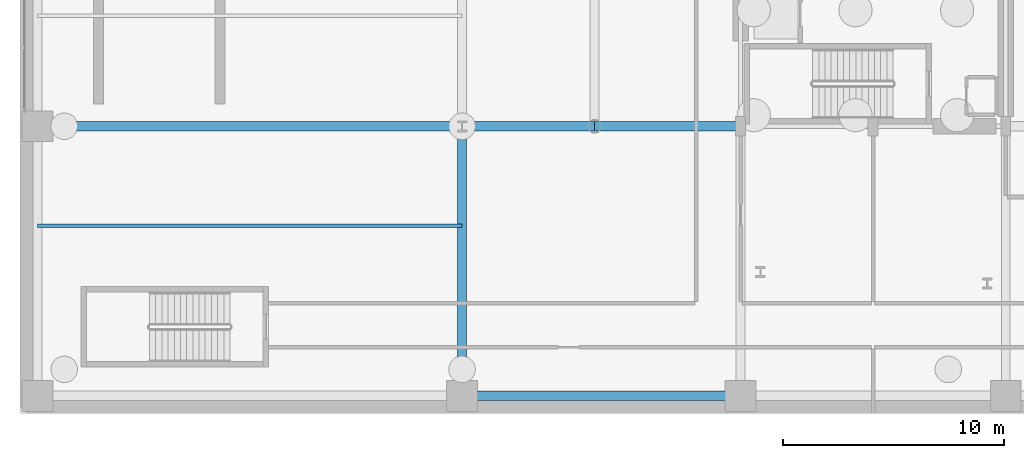
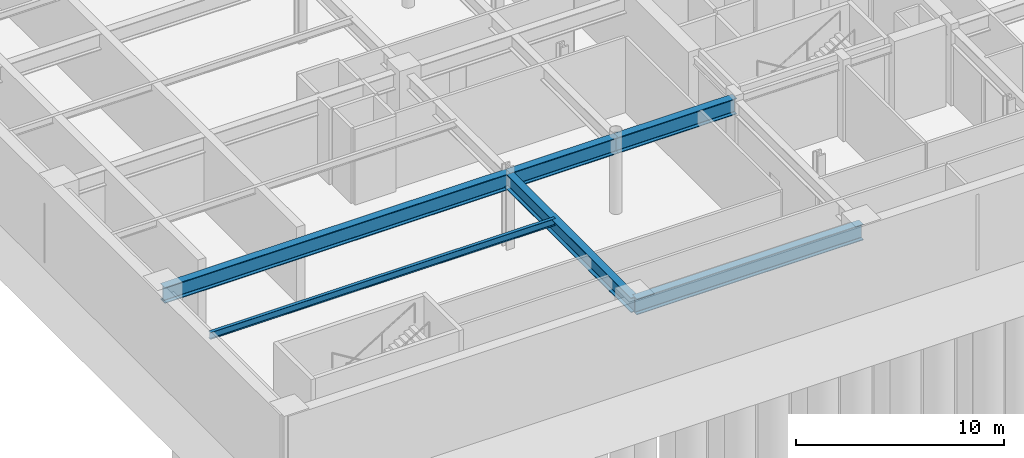
# One storey, part 7 of 25: 6 beams.
"""IFC4 building model written with IfcOpenShell, lengths in metres."""

from ifc_helpers import new_model, si_unit, direction, frame, origin, origin_2d, place, context, subcontext, project, spatial, i_section, extrude, material, material_profile, profile_set, type_object, element, save


model = new_model("IFC4")

# Units and contexts
model_context = context("Model", 3, precision=1e-05, world=origin(), true_north=direction((0.0, 1.0)))
body_context = subcontext(model_context, "Body", "Model", "MODEL_VIEW")
ifc_project = project(units=[si_unit("LENGTHUNIT", "METRE"), si_unit("AREAUNIT", "SQUARE_METRE"), si_unit("VOLUMEUNIT", "CUBIC_METRE"), si_unit("PLANEANGLEUNIT", "RADIAN"), si_unit("MASSUNIT", "GRAM", prefix="KILO")], contexts=[model_context])

# Site, building, storey
site_placement = place(None, origin())
site = spatial("IfcSite", under=ifc_project, at=site_placement, CompositionType="ELEMENT")
building_placement = place(site_placement, origin())
building = spatial("IfcBuilding", under=site, at=building_placement, Name="Soratama Intermodal Tower", CompositionType="ELEMENT")
storey_placement = place(building_placement, frame((0.0, 0.0, -10.199951171875)))
storey = spatial("IfcBuildingStorey", under=building, at=storey_placement, Name="B2", CompositionType="ELEMENT", Elevation=-10.199951171875)

# Beams
ifc_material_1 = material(Name="Structural steel ASTM A992 Grade 50", Category="steel")
ifc_material_profile_1 = material_profile(ifc_material_1, i_section(OverallWidth=0.177978515625, OverallDepth=0.406982421875, WebThickness=0.0078125, FlangeThickness=0.0126953125, FilletRadius=0.010009765625, at=origin_2d()), Name="W16X40")
ifc_profile_set_1 = profile_set([ifc_material_profile_1], Name="Structural steel ASTM A992 Grade 50")
beam_type_1 = type_object("IfcBeamType", Name="BM-JST-W16X40", PredefinedType="JOIST", material=ifc_profile_set_1)
beam_1_placement = place(storey_placement, frame((0.800048828125, 10.5, 4.236572265625), z_axis=(1.0, 0.0, 0.0), x_axis=(0.0, 1.0, 0.0)))
element("IfcBeam", 1, at=beam_1_placement, inside=storey, type_object=beam_type_1, Name="JST-B2-W1", PredefinedType="JOIST", context=body_context, shape_type="SweptSolid", body=[
    extrude(i_section(OverallWidth=0.177978515625, OverallDepth=0.406982421875, WebThickness=0.0078125, FlangeThickness=0.0126953125, FilletRadius=0.010009765625, at=origin_2d()), origin(), (0.0, 0.0, 1.0), 19.199951171875),
])
ifc_material_2 = material(Name="Structural steel ASTM A992 Grade 50", Category="steel")
ifc_material_profile_2 = material_profile(ifc_material_2, i_section(OverallWidth=0.423095703125, OverallDepth=0.93896484375, WebThickness=0.02392578125, FlangeThickness=0.042724609375, FilletRadius=0.02392578125, at=origin_2d()), Name="W36X302")
ifc_profile_set_2 = profile_set([ifc_material_profile_2], Name="Structural steel ASTM A992 Grade 50")
beam_type_2 = type_object("IfcBeamType", Name="BM-POD-EXT-W36", PredefinedType="BEAM", material=ifc_profile_set_2)
beam_2_placement = place(storey_placement, frame((20.0, 2.800048828125, 3.970458984375), z_axis=(1.0, 0.0, 0.0), x_axis=(0.0, 1.0, 0.0)))
element("IfcBeam", 2, at=beam_2_placement, inside=storey, type_object=beam_type_2, Name="B2 Station Girder X1-2", PredefinedType="BEAM", context=body_context, shape_type="SweptSolid", body=[
    extrude(i_section(OverallWidth=0.423095703125, OverallDepth=0.93896484375, WebThickness=0.02392578125, FlangeThickness=0.042724609375, FilletRadius=0.02392578125, at=origin_2d()), origin(), (0.0, 0.0, 1.0), 12.60009765625),
])
ifc_material_3 = material(Name="Structural steel ASTM A992 Grade 50", Category="steel")
ifc_material_profile_3 = material_profile(ifc_material_3, i_section(OverallWidth=0.403076171875, OverallDepth=0.867919921875, WebThickness=0.02099609375, FlangeThickness=0.03564453125, FilletRadius=0.01806640625, at=origin_2d()), Name="W33X241")
ifc_profile_set_3 = profile_set([ifc_material_profile_3], Name="Structural steel ASTM A992 Grade 50")
beam_type_3 = type_object("IfcBeamType", Name="BM-POD-W33X241", PredefinedType="BEAM", material=ifc_profile_set_3)
beam_3_placement = place(storey_placement, frame((20.0, 2.800048828125, 4.005859375), z_axis=(0.0, 1.0, 0.0), x_axis=(-1.0, 0.0, 0.0)))
element("IfcBeam", 3, at=beam_3_placement, inside=storey, type_object=beam_type_3, Name="B2 Station Girder Y2-1", PredefinedType="BEAM", context=body_context, shape_type="SweptSolid", body=[
    extrude(i_section(OverallWidth=0.403076171875, OverallDepth=0.867919921875, WebThickness=0.02099609375, FlangeThickness=0.03564453125, FilletRadius=0.01806640625, at=origin_2d()), origin(), (0.0, 0.0, 1.0), 12.199951171875),
])
ifc_material_4 = material(Name="Structural steel ASTM A992 Grade 50", Category="steel")
ifc_material_profile_4 = material_profile(ifc_material_4, i_section(OverallWidth=0.423095703125, OverallDepth=0.93896484375, WebThickness=0.02392578125, FlangeThickness=0.042724609375, FilletRadius=0.02392578125, at=origin_2d()), Name="W36X302")
ifc_profile_set_4 = profile_set([ifc_material_profile_4], Name="Structural steel ASTM A992 Grade 50")
beam_type_4 = type_object("IfcBeamType", Name="BM-POD-W36X302", PredefinedType="BEAM", material=ifc_profile_set_4)
beam_4_placement = place(storey_placement, frame((0.800048828125, 15.0, 3.970458984375), z_axis=(1.0, 0.0, 0.0), x_axis=(0.0, 1.0, 0.0)))
element("IfcBeam", 4, at=beam_4_placement, inside=storey, type_object=beam_type_4, Name="B2 Station Girder X2-1", PredefinedType="BEAM", context=body_context, shape_type="SweptSolid", body=[
    extrude(i_section(OverallWidth=0.423095703125, OverallDepth=0.93896484375, WebThickness=0.02392578125, FlangeThickness=0.042724609375, FilletRadius=0.02392578125, at=origin_2d()), origin(), (0.0, 0.0, 1.0), 19.199951171875),
])
beam_5_placement = place(storey_placement, frame((20.0, 15.0, 3.970458984375), z_axis=(1.0, 0.0, 0.0), x_axis=(0.0, 1.0, 0.0)))
element("IfcBeam", 5, at=beam_5_placement, inside=storey, type_object=beam_type_4, Name="B2 Station Girder X2-2", PredefinedType="BEAM", context=body_context, shape_type="SweptSolid", body=[
    extrude(i_section(OverallWidth=0.423095703125, OverallDepth=0.93896484375, WebThickness=0.02392578125, FlangeThickness=0.042724609375, FilletRadius=0.02392578125, at=origin_2d()), origin(), (0.0, 0.0, 1.0), 6.0),
])
beam_6_placement = place(storey_placement, frame((26.0, 15.0, 3.970458984375), z_axis=(1.0, 0.0, 0.0), x_axis=(0.0, 1.0, 0.0)))
element("IfcBeam", 6, at=beam_6_placement, inside=storey, type_object=beam_type_4, Name="B2 Station Girder X2-3", PredefinedType="BEAM", context=body_context, shape_type="SweptSolid", body=[
    extrude(i_section(OverallWidth=0.423095703125, OverallDepth=0.93896484375, WebThickness=0.02392578125, FlangeThickness=0.042724609375, FilletRadius=0.02392578125, at=origin_2d()), origin(), (0.0, 0.0, 1.0), 6.60009765625),
])

save(model, "model.ifc")
